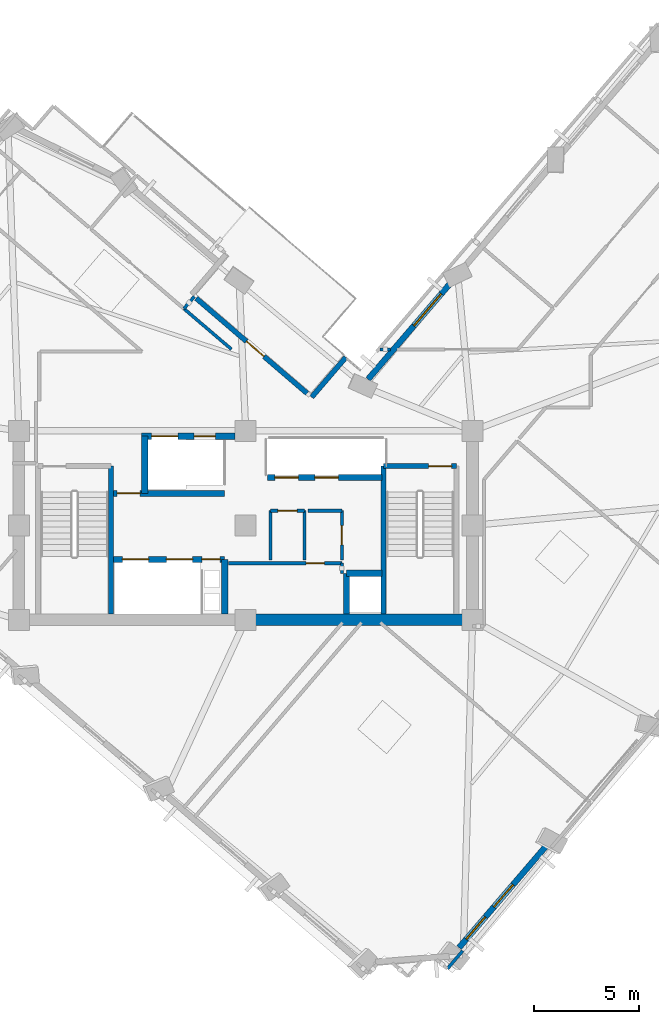
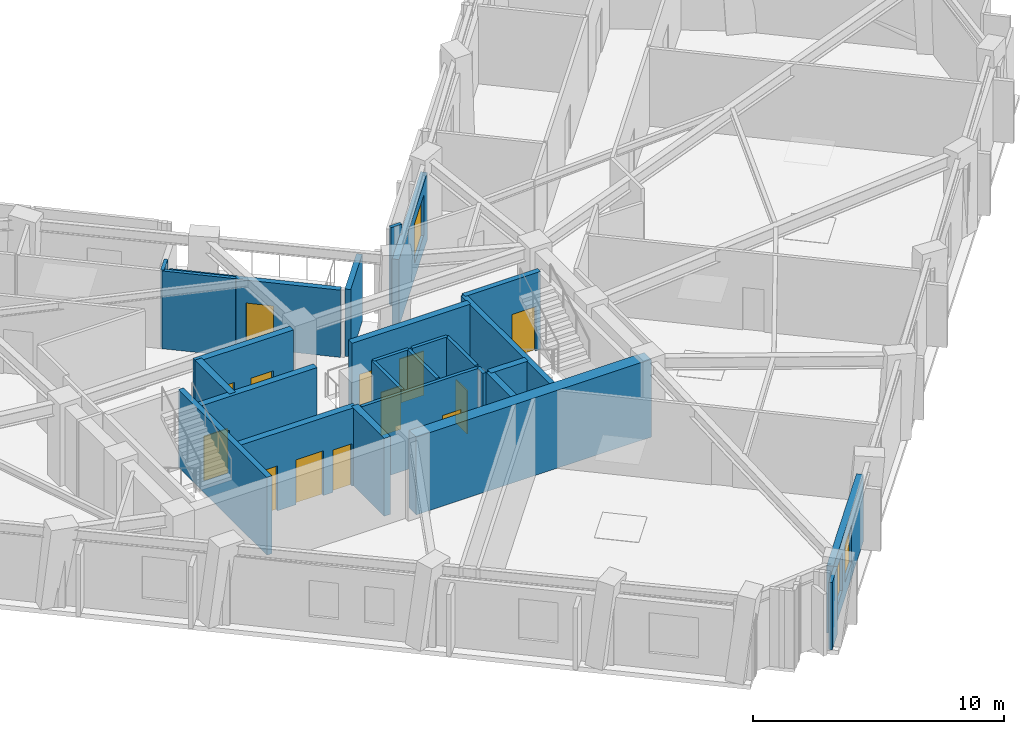
# One storey, part 6 of 12: 27 walls, 13 doors, 3 windows, 16 openings.
"""IFC4 building model written with IfcOpenShell, lengths in metres."""

from ifc_helpers import new_model, si_unit, direction, frame, frame_2d, origin, place, context, subcontext, project, spatial, rectangle, extrude, material, layer, layer_set, type_object, element, fill, save


model = new_model("IFC4")

# Units and contexts
model_context = context("Model", 3, precision=1e-05, world=origin(), true_north=direction((0.0, 1.0)))
body_context = subcontext(model_context, "Body", "Model", "MODEL_VIEW")
ifc_project = project(units=[si_unit("LENGTHUNIT", "METRE"), si_unit("AREAUNIT", "SQUARE_METRE"), si_unit("VOLUMEUNIT", "CUBIC_METRE"), si_unit("PLANEANGLEUNIT", "RADIAN"), si_unit("MASSUNIT", "GRAM", prefix="KILO")], contexts=[model_context])

# Site, building, storey
site_placement = place(None, origin())
site = spatial("IfcSite", under=ifc_project, at=site_placement, CompositionType="ELEMENT")
building_placement = place(site_placement, origin())
building = spatial("IfcBuilding", under=site, at=building_placement, Name="Gaonmaruhae Medical Tower", CompositionType="ELEMENT")
storey_placement = place(building_placement, frame((0.0, 0.0, 235.199951171875)))
storey = spatial("IfcBuildingStorey", under=building, at=storey_placement, Name="L56", CompositionType="ELEMENT", Elevation=235.199951171875)

# Wall
ifc_material_1 = material(Name="Concrete C50/60", Category="concrete")
ifc_layer_1 = layer(ifc_material_1, 0.550048828125)
ifc_layer_set_1 = layer_set([ifc_layer_1], Name="Concrete C50/60")
wall_type_1 = type_object("IfcWallType", Name="CW-550 Mid-High Core Shear Wall", PredefinedType="SHEAR", material=ifc_layer_set_1)
wall_1_placement = place(storey_placement, frame((24.800048828125, 7.800048828125, 0.0), z_axis=(0.0, 0.0, 1.0), x_axis=(1.0, 0.0, 0.0)))
element("IfcWall", 1, at=wall_1_placement, inside=storey, type_object=wall_type_1, Name="L56 Core Shear Wall CSW-S2", PredefinedType="SHEAR", context=body_context, shape_type="SweptSolid", body=[
    extrude(rectangle(XDim=10.800048828125, YDim=0.550048828125, at=frame_2d((5.39990234375, 0.0))), origin(), (0.0, 0.0, 1.0), 3.780029296875),
])

# Wall, opening, door
ifc_material_2 = material(Name="Precast concrete C45/55", Category="concrete")
ifc_layer_2 = layer(ifc_material_2, 0.239990234375)
ifc_layer_set_2 = layer_set([ifc_layer_2], Name="Precast concrete C45/55")
wall_type_2 = type_object("IfcWallType", Name="EW-240 Ribbon & Shelter Insulated Precast Wall", PredefinedType="SOLIDWALL", material=ifc_layer_set_2)
wall_2_placement = place(storey_placement, frame((22.443603515625, 23.114501953125, 0.0), z_axis=(0.0, 0.0, 1.0), x_axis=(0.759271458892, -0.650774040442, 0.0)))
wall_2 = element("IfcWall", 2, at=wall_2_placement, inside=storey, type_object=wall_type_2, Name="L56 Recessed Terrace Enclosure Wall TERB", PredefinedType="SOLIDWALL", context=body_context, shape_type="SweptSolid", body=[
    extrude(rectangle(XDim=6.9599609375, YDim=0.239990234375, at=frame_2d((3.47998046875, 0.0))), origin(), (0.0, 0.0, 1.0), 3.26513671875),
])
opening_1_placement = place(wall_2_placement, frame((3.15234375, 0.0, 0.0)))
opening_1 = element("IfcOpeningElement", 3, at=opening_1_placement, cuts=wall_2, Name="Opening TD-01", PredefinedType="OPENING", context=body_context, shape_type="SweptSolid", body=[
    extrude(rectangle(XDim=1.10009765625, YDim=2.14990234375, at=frame_2d((0.550048828125, 1.074951171875))), frame((0.0, 0.1298828125, 0.0), z_axis=(0.0, -1.0, 0.0), x_axis=(1.0, 0.0, 0.0)), (0.0, 0.0, 1.0), 0.260009765625),
])
ifc_material_3 = material(Name="Anodised aluminium and toughened safety glass", Category="aluminium")
door_type_1 = type_object("IfcDoorType", Name="TD-01 Terrace & Sky Garden Glazed Door 1100x2150", OperationType="NOTDEFINED", PredefinedType="DOOR", material=ifc_material_3)
door_1_placement = place(opening_1_placement, origin())
door_1 = element("IfcDoor", 4, at=door_1_placement, inside=storey, type_object=door_type_1, Name="L56 Outdoor Terrace Access Door SLB-L56-TER", OperationType="SINGLE_SWING_RIGHT", OverallHeight=2.14990234375, OverallWidth=1.10009765625, PredefinedType="DOOR", context=body_context, shape_type="SweptSolid", body=[
    extrude(rectangle(XDim=1.10009765625, YDim=2.14990234375, at=frame_2d((0.550048828125, 1.074951171875))), frame((0.0, 0.02490234375, 0.0), z_axis=(0.0, -1.0, 0.0), x_axis=(1.0, 0.0, 0.0)), (0.0, 0.0, 1.0), 0.050048828125),
])
fill(opening_1, door_1)

# Wall
wall_3_placement = place(storey_placement, frame((27.940673828125, 18.403076171875, 0.0), z_axis=(0.0, 0.0, 1.0), x_axis=(0.650775288898, 0.759270388833, 0.0)))
element("IfcWall", 5, at=wall_3_placement, inside=storey, type_object=wall_type_2, Name="L56 Recessed Terrace Enclosure Wall TERL", PredefinedType="SOLIDWALL", context=body_context, shape_type="SweptSolid", body=[
    extrude(rectangle(XDim=2.5, YDim=0.239990234375, at=frame_2d((1.25, 0.0))), origin(), (0.0, 0.0, 1.0), 3.26513671875),
])

# Wall, openings, windows
ifc_layer_3 = layer(ifc_material_2, 0.280029296875)
ifc_layer_set_3 = layer_set([ifc_layer_3], Name="Precast concrete C45/55")
wall_type_3 = type_object("IfcWallType", Name="EW-280 Upper Precast Masonry-Frame Facade Wall", PredefinedType="SOLIDWALL", material=ifc_layer_set_3)
wall_4_placement = place(storey_placement, frame((39.179443359375, -2.880615234375, 0.0), z_axis=(0.0, 0.0, 1.0), x_axis=(-0.650791373456, -0.759256602365, 0.0)))
wall_4 = element("IfcWall", 6, at=wall_4_placement, inside=storey, type_object=wall_type_3, Name="L56 Precast Masonry-Frame Wall S01-S02", PredefinedType="SOLIDWALL", context=body_context, shape_type="SweptSolid", body=[
    extrude(rectangle(XDim=6.48486328125, YDim=0.280029296875, at=frame_2d((3.242431640625, 0.0))), origin(), (0.0, 0.0, 1.0), 3.26513671875),
])
opening_2_placement = place(wall_4_placement, frame((2.533935546875, 0.0, 0.75)))
opening_2 = element("IfcOpeningElement", 7, at=opening_2_placement, cuts=wall_4, Name="Opening WN-03", PredefinedType="OPENING", context=body_context, shape_type="SweptSolid", body=[
    extrude(rectangle(XDim=1.39990234375, YDim=1.85009765625, at=frame_2d((0.699951171875, 0.925048828125))), frame((0.0, 0.14990234375, 0.0), z_axis=(0.0, -1.0, 0.0), x_axis=(1.0, 0.0, 0.0)), (0.0, 0.0, 1.0), 0.300048828125),
])
opening_3_placement = place(wall_4_placement, frame((4.558837890625, 0.0, 0.75)))
opening_3 = element("IfcOpeningElement", 8, at=opening_3_placement, cuts=wall_4, Name="Opening WN-03", PredefinedType="OPENING", context=body_context, shape_type="SweptSolid", body=[
    extrude(rectangle(XDim=1.39990234375, YDim=1.85009765625, at=frame_2d((0.699951171875, 0.925048828125))), frame((0.0, 0.14990234375, 0.0), z_axis=(0.0, -1.0, 0.0), x_axis=(1.0, 0.0, 0.0)), (0.0, 0.0, 1.0), 0.300048828125),
])
ifc_material_4 = material(Name="Anodised aluminium and Low-E double glazing", Category="aluminium")
window_type_1 = type_object("IfcWindowType", Name="WN-03 Isolation Ward Punched Window 1400x1850", PartitioningType="SINGLE_PANEL", PredefinedType="WINDOW", material=ifc_material_4)
window_1_placement = place(opening_2_placement, origin())
window_1 = element("IfcWindow", 9, at=window_1_placement, inside=storey, type_object=window_type_1, Name="L56 Modular Facade Window S01", OverallHeight=1.85009765625, OverallWidth=1.39990234375, PartitioningType="SINGLE_PANEL", PredefinedType="WINDOW", context=body_context, shape_type="SweptSolid", body=[
    extrude(rectangle(XDim=1.39990234375, YDim=1.85009765625, at=frame_2d((0.699951171875, 0.925048828125))), frame((0.0, 0.030029296875, 0.0), z_axis=(0.0, -1.0, 0.0), x_axis=(1.0, 0.0, 0.0)), (0.0, 0.0, 1.0), 0.06005859375),
])
fill(opening_2, window_1)
window_2_placement = place(opening_3_placement, origin())
window_2 = element("IfcWindow", 10, at=window_2_placement, inside=storey, type_object=window_type_1, Name="L56 Modular Facade Window S01B", OverallHeight=1.85009765625, OverallWidth=1.39990234375, PartitioningType="SINGLE_PANEL", PredefinedType="WINDOW", context=body_context, shape_type="SweptSolid", body=[
    extrude(rectangle(XDim=1.39990234375, YDim=1.85009765625, at=frame_2d((0.699951171875, 0.925048828125))), frame((0.0, 0.030029296875, 0.0), z_axis=(0.0, -1.0, 0.0), x_axis=(1.0, 0.0, 0.0)), (0.0, 0.0, 1.0), 0.06005859375),
])
fill(opening_3, window_2)

# Wall, opening, window
wall_5_placement = place(storey_placement, frame((30.626220703125, 19.256103515625, 0.0), z_axis=(0.0, 0.0, 1.0), x_axis=(0.650768519131, 0.75927619119, 0.0)))
wall_5 = element("IfcWall", 11, at=wall_5_placement, inside=storey, type_object=wall_type_3, Name="L56 Precast Masonry-Frame Wall EN02-KN01", PredefinedType="SOLIDWALL", context=body_context, shape_type="SweptSolid", body=[
    extrude(rectangle(XDim=6.158203125, YDim=0.280029296875, at=frame_2d((3.0791015625, 0.0))), origin(), (0.0, 0.0, 1.0), 3.26513671875),
])
opening_4_placement = place(wall_5_placement, frame((3.357421875, 0.0, 0.75)))
opening_4 = element("IfcOpeningElement", 12, at=opening_4_placement, cuts=wall_5, Name="Opening WN-02", PredefinedType="OPENING", context=body_context, shape_type="SweptSolid", body=[
    extrude(rectangle(XDim=2.0, YDim=1.949951171875, at=frame_2d((1.0, 0.97509765625))), frame((0.0, 0.14990234375, 0.0), z_axis=(0.0, -1.0, 0.0), x_axis=(1.0, 0.0, 0.0)), (0.0, 0.0, 1.0), 0.300048828125),
])
window_type_2 = type_object("IfcWindowType", Name="WN-02 Double-Bed Ward Punched Window 2000x1950", PartitioningType="SINGLE_PANEL", PredefinedType="WINDOW", material=ifc_material_4)
window_3_placement = place(opening_4_placement, origin())
window_3 = element("IfcWindow", 13, at=window_3_placement, inside=storey, type_object=window_type_2, Name="L56 Modular Facade Window EN02", OverallHeight=1.949951171875, OverallWidth=2.0, PartitioningType="SINGLE_PANEL", PredefinedType="WINDOW", context=body_context, shape_type="SweptSolid", body=[
    extrude(rectangle(XDim=2.0, YDim=1.949951171875, at=frame_2d((1.0, 0.97509765625))), frame((0.0, 0.030029296875, 0.0), z_axis=(0.0, -1.0, 0.0), x_axis=(1.0, 0.0, 0.0)), (0.0, 0.0, 1.0), 0.06005859375),
])
fill(opening_4, window_3)

# Wall, opening, door
ifc_material_5 = material(Name="Gypsum board partition", Category="gypsum")
ifc_layer_4 = layer(ifc_material_5, 0.14990234375)
ifc_layer_set_4 = layer_set([ifc_layer_4], Name="Gypsum board partition")
wall_type_4 = type_object("IfcWallType", Name="PW-150 Rated Clinical Corridor Partition", PredefinedType="PARTITIONING", material=ifc_layer_set_4)
wall_6_placement = place(storey_placement, frame((23.97998046875, 10.5, 0.0), z_axis=(0.0, 0.0, 1.0), x_axis=(1.0, 0.0, 0.0)))
wall_6 = element("IfcWall", 14, at=wall_6_placement, inside=storey, type_object=wall_type_4, Name="L56 Interior Partition L56-RCL1-1", PredefinedType="PARTITIONING", context=body_context, shape_type="SweptSolid", body=[
    extrude(rectangle(XDim=5.39990234375, YDim=0.14990234375, at=frame_2d((2.699951171875, 0.0))), origin(), (0.0, 0.0, 1.0), 3.780029296875),
])
opening_5_placement = place(wall_6_placement, frame((3.702880859375, 0.0, 0.0)))
opening_5 = element("IfcOpeningElement", 15, at=opening_5_placement, cuts=wall_6, Name="Opening AD-01", PredefinedType="OPENING", context=body_context, shape_type="SweptSolid", body=[
    extrude(rectangle(XDim=0.860107421875, YDim=2.06005859375, at=frame_2d((0.43017578125, 1.030029296875))), frame((0.0, 0.0849609375, 0.0), z_axis=(0.0, -1.0, 0.0), x_axis=(1.0, 0.0, 0.0)), (0.0, 0.0, 1.0), 0.169921875),
])
ifc_material_6 = material(Name="Powder-coated steel access door", Category="steel")
door_type_2 = type_object("IfcDoorType", Name="AD-01 Riser & Closet Access Fire Door 860x2060", OperationType="NOTDEFINED", PredefinedType="DOOR", material=ifc_material_6)
door_2_placement = place(opening_5_placement, origin())
door_2 = element("IfcDoor", 16, at=door_2_placement, inside=storey, type_object=door_type_2, Name="L56 Biomedical Infusion Preparation Room Sliding Door", OperationType="SLIDING_TO_LEFT", OverallHeight=2.06005859375, OverallWidth=0.860107421875, PredefinedType="DOOR", context=body_context, shape_type="SweptSolid", body=[
    extrude(rectangle(XDim=0.860107421875, YDim=2.06005859375, at=frame_2d((0.43017578125, 1.030029296875))), frame((0.0, 0.02490234375, 0.0), z_axis=(0.0, -1.0, 0.0), x_axis=(1.0, 0.0, 0.0)), (0.0, 0.0, 1.0), 0.050048828125),
])
fill(opening_5, door_2)

# Walls
wall_7_placement = place(storey_placement, frame((29.3798828125, 10.5, 0.0), z_axis=(0.0, 0.0, 1.0), x_axis=(0.0, -1.0, 0.0)))
element("IfcWall", 17, at=wall_7_placement, inside=storey, type_object=wall_type_4, Name="L56 Interior Partition L56-RCL1-2", PredefinedType="PARTITIONING", context=body_context, shape_type="SweptSolid", body=[
    extrude(rectangle(XDim=0.47998046875, YDim=0.14990234375, at=frame_2d((0.239990234375, 0.0))), origin(), (0.0, 0.0, 1.0), 3.780029296875),
])
wall_8_placement = place(storey_placement, frame((25.97998046875, 10.659912109375, 0.0), z_axis=(0.0, 0.0, 1.0), x_axis=(0.0, 1.0, 0.0)))
element("IfcWall", 18, at=wall_8_placement, inside=storey, type_object=wall_type_4, Name="L56 Interior Partition L56-CS1-3", PredefinedType="PARTITIONING", context=body_context, shape_type="SweptSolid", body=[
    extrude(rectangle(XDim=2.340087890625, YDim=0.14990234375, at=frame_2d((1.169921875, 0.0))), origin(), (0.0, 0.0, 1.0), 3.780029296875),
])

# Wall, opening, door
wall_9_placement = place(storey_placement, frame((25.97998046875, 13.0, 0.0), z_axis=(0.0, 0.0, 1.0), x_axis=(1.0, 0.0, 0.0)))
wall_9 = element("IfcWall", 19, at=wall_9_placement, inside=storey, type_object=wall_type_4, Name="L56 Interior Partition L56-CS1-4", PredefinedType="PARTITIONING", context=body_context, shape_type="SweptSolid", body=[
    extrude(rectangle(XDim=1.6201171875, YDim=0.14990234375, at=frame_2d((0.81005859375, 0.0))), origin(), (0.0, 0.0, 1.0), 3.780029296875),
])
opening_6_placement = place(wall_9_placement, frame((0.35009765625, 0.0, 0.0)))
opening_6 = element("IfcOpeningElement", 20, at=opening_6_placement, cuts=wall_9, Name="Opening UD-01", PredefinedType="OPENING", context=body_context, shape_type="SweptSolid", body=[
    extrude(rectangle(XDim=0.919921875, YDim=2.10009765625, at=frame_2d((0.4599609375, 1.050048828125))), frame((0.0, 0.0849609375, 0.0), z_axis=(0.0, -1.0, 0.0), x_axis=(1.0, 0.0, 0.0)), (0.0, 0.0, 1.0), 0.169921875),
])
ifc_material_7 = material(Name="Powder-coated steel utility door", Category="steel")
door_type_3 = type_object("IfcDoorType", Name="UD-01 Toilet, Utility & Housekeeping Door 920x2100", OperationType="NOTDEFINED", PredefinedType="DOOR", material=ifc_material_7)
door_3_placement = place(opening_6_placement, origin())
door_3 = element("IfcDoor", 21, at=door_3_placement, inside=storey, type_object=door_type_3, Name="L56 Accessible Staff Toilet Door", OperationType="SINGLE_SWING_RIGHT", OverallHeight=2.10009765625, OverallWidth=0.919921875, PredefinedType="DOOR", context=body_context, shape_type="SweptSolid", body=[
    extrude(rectangle(XDim=0.919921875, YDim=2.10009765625, at=frame_2d((0.4599609375, 1.050048828125))), frame((0.0, 0.02490234375, 0.0), z_axis=(0.0, -1.0, 0.0), x_axis=(1.0, 0.0, 0.0)), (0.0, 0.0, 1.0), 0.050048828125),
])
fill(opening_6, door_3)

# Walls
wall_10_placement = place(storey_placement, frame((27.60009765625, 13.0, 0.0), z_axis=(0.0, 0.0, 1.0), x_axis=(0.0, -1.0, 0.0)))
element("IfcWall", 22, at=wall_10_placement, inside=storey, type_object=wall_type_4, Name="L56 Interior Partition L56-CS1-5", PredefinedType="PARTITIONING", context=body_context, shape_type="SweptSolid", body=[
    extrude(rectangle(XDim=2.340087890625, YDim=0.14990234375, at=frame_2d((1.169921875, 0.0))), origin(), (0.0, 0.0, 1.0), 3.780029296875),
])
wall_11_placement = place(storey_placement, frame((27.760009765625, 13.0, 0.0), z_axis=(0.0, 0.0, 1.0), x_axis=(1.0, 0.0, 0.0)))
element("IfcWall", 23, at=wall_11_placement, inside=storey, type_object=wall_type_4, Name="L56 Interior Partition L56-CS2-6", PredefinedType="PARTITIONING", context=body_context, shape_type="SweptSolid", body=[
    extrude(rectangle(XDim=1.619873046875, YDim=0.14990234375, at=frame_2d((0.81005859375, 0.0))), origin(), (0.0, 0.0, 1.0), 3.780029296875),
])

# Wall, opening, door
wall_12_placement = place(storey_placement, frame((29.3798828125, 13.0, 0.0), z_axis=(0.0, 0.0, 1.0), x_axis=(0.0, -1.0, 0.0)))
wall_12 = element("IfcWall", 24, at=wall_12_placement, inside=storey, type_object=wall_type_4, Name="L56 Interior Partition L56-CS2-7", PredefinedType="PARTITIONING", context=body_context, shape_type="SweptSolid", body=[
    extrude(rectangle(XDim=2.340087890625, YDim=0.14990234375, at=frame_2d((1.169921875, 0.0))), origin(), (0.0, 0.0, 1.0), 3.780029296875),
])
opening_7_placement = place(wall_12_placement, frame((0.7099609375, 0.0, 0.0)))
opening_7 = element("IfcOpeningElement", 25, at=opening_7_placement, cuts=wall_12, Name="Opening UD-01", PredefinedType="OPENING", context=body_context, shape_type="SweptSolid", body=[
    extrude(rectangle(XDim=0.919921875, YDim=2.10009765625, at=frame_2d((0.4599609375, 1.050048828125))), frame((0.0, 0.0849609375, 0.0), z_axis=(0.0, -1.0, 0.0), x_axis=(1.0, 0.0, 0.0)), (0.0, 0.0, 1.0), 0.169921875),
])
door_4_placement = place(opening_7_placement, origin())
door_4 = element("IfcDoor", 26, at=door_4_placement, inside=storey, type_object=door_type_3, Name="L56 Biomedical Telemetry Closet Door", OperationType="SINGLE_SWING_RIGHT", OverallHeight=2.10009765625, OverallWidth=0.919921875, PredefinedType="DOOR", context=body_context, shape_type="SweptSolid", body=[
    extrude(rectangle(XDim=0.919921875, YDim=2.10009765625, at=frame_2d((0.4599609375, 1.050048828125))), frame((0.0, 0.02490234375, 0.0), z_axis=(0.0, -1.0, 0.0), x_axis=(1.0, 0.0, 0.0)), (0.0, 0.0, 1.0), 0.050048828125),
])
fill(opening_7, door_4)

# Walls
wall_13_placement = place(storey_placement, frame((35.134033203125, -7.9541015625, 0.0), z_axis=(0.0, 0.0, 1.0), x_axis=(-0.651094055593, -0.758997055839, 0.0)))
element("IfcWall", 27, at=wall_13_placement, inside=storey, type_object=wall_type_4, Name="L56 Interior Partition L56-SUP01-15", PredefinedType="PARTITIONING", context=body_context, shape_type="SweptSolid", body=[
    extrude(rectangle(XDim=1.129150390625, YDim=0.14990234375, at=frame_2d((0.564453125, 0.0))), origin(), (0.0, 0.0, 1.0), 3.26513671875),
])
wall_14_placement = place(storey_placement, frame((31.695068359375, 20.679931640625, 0.0), z_axis=(0.0, 0.0, 1.0), x_axis=(-1.0, 0.0, 0.0)))
element("IfcWall", 28, at=wall_14_placement, inside=storey, type_object=wall_type_4, Name="L56 Interior Partition L56-IE01-60", PredefinedType="PARTITIONING", context=body_context, shape_type="SweptSolid", body=[
    extrude(rectangle(XDim=0.498046875, YDim=0.14990234375, at=frame_2d((0.2490234375, 0.0))), origin(), (0.0, 0.0, 1.0), 3.780029296875),
])
wall_15_placement = place(storey_placement, frame((22.35205078125, 23.193115234375, 0.0), z_axis=(0.0, 0.0, 1.0), x_axis=(-0.650367875371, -0.759619395938, 0.0)))
element("IfcWall", 29, at=wall_15_placement, inside=storey, type_object=wall_type_4, Name="L56 Interior Partition L56-IN02-71", PredefinedType="PARTITIONING", context=body_context, shape_type="SweptSolid", body=[
    extrude(rectangle(XDim=0.759765625, YDim=0.14990234375, at=frame_2d((0.3798828125, 0.0))), origin(), (0.0, 0.0, 1.0), 3.780029296875),
])
wall_16_placement = place(storey_placement, frame((21.860107421875, 22.617919921875, 0.0), z_axis=(0.0, 0.0, 1.0), x_axis=(0.760455656474, -0.649389863285, 0.0)))
element("IfcWall", 30, at=wall_16_placement, inside=storey, type_object=wall_type_4, Name="L56 Interior Partition L56-RM03-86", PredefinedType="PARTITIONING", context=body_context, shape_type="SweptSolid", body=[
    extrude(rectangle(XDim=2.971923828125, YDim=0.14990234375, at=frame_2d((1.48583984375, 0.0))), origin(), (0.0, 0.0, 1.0), 3.780029296875),
])
ifc_layer_5 = layer(ifc_material_1, 0.239990234375)
ifc_layer_set_5 = layer_set([ifc_layer_5], Name="Concrete C50/60")
wall_type_5 = type_object("IfcWallType", Name="SW-240 Dogleg Stair Tight Shaft Wall", PredefinedType="SOLIDWALL", material=ifc_layer_set_5)
wall_17_placement = place(storey_placement, frame((18.3798828125, 15.1201171875, 0.0), z_axis=(0.0, 0.0, 1.0), x_axis=(0.0, -1.0, 0.0)))
element("IfcWall", 31, at=wall_17_placement, inside=storey, type_object=wall_type_5, Name="L56 ST-01 Stair Shaft Wall SHW-ST-01-E", PredefinedType="SOLIDWALL", context=body_context, shape_type="SweptSolid", body=[
    extrude(rectangle(XDim=7.045166015625, YDim=0.239990234375, at=frame_2d((3.5224609375, 0.0))), origin(), (0.0, 0.0, 1.0), 3.780029296875),
])

# Wall, opening, door
wall_18_placement = place(storey_placement, frame((31.3701171875, 15.1201171875, 0.0), z_axis=(0.0, 0.0, 1.0), x_axis=(1.0, 0.0, 0.0)))
wall_18 = element("IfcWall", 32, at=wall_18_placement, inside=storey, type_object=wall_type_5, Name="L56 ST-02 Stair Shaft Wall SHW-ST-02-N", PredefinedType="SOLIDWALL", context=body_context, shape_type="SweptSolid", body=[
    extrude(rectangle(XDim=3.4599609375, YDim=0.239990234375, at=frame_2d((1.72998046875, 0.0))), origin(), (0.0, 0.0, 1.0), 3.780029296875),
])
opening_8_placement = place(wall_18_placement, frame((2.139892578125, 0.0, 0.0)))
opening_8 = element("IfcOpeningElement", 33, at=opening_8_placement, cuts=wall_18, Name="Opening FD-01", PredefinedType="OPENING", context=body_context, shape_type="SweptSolid", body=[
    extrude(rectangle(XDim=1.10009765625, YDim=2.14990234375, at=frame_2d((0.550048828125, 1.074951171875))), frame((0.0, 0.1298828125, 0.0), z_axis=(0.0, -1.0, 0.0), x_axis=(1.0, 0.0, 0.0)), (0.0, 0.0, 1.0), 0.260009765625),
])
ifc_material_8 = material(Name="Powder-coated steel fire door", Category="steel")
door_type_4 = type_object("IfcDoorType", Name="FD-01 Escape Stair Protected Fire Door 1100x2150", OperationType="NOTDEFINED", PredefinedType="DOOR", material=ifc_material_8)
door_5_placement = place(opening_8_placement, origin())
door_5 = element("IfcDoor", 34, at=door_5_placement, inside=storey, type_object=door_type_4, Name="L56 ST-02 Protected Escape Stair Door", OperationType="SINGLE_SWING_LEFT", OverallHeight=2.14990234375, OverallWidth=1.10009765625, PredefinedType="DOOR", context=body_context, shape_type="SweptSolid", body=[
    extrude(rectangle(XDim=1.10009765625, YDim=2.14990234375, at=frame_2d((0.550048828125, 1.074951171875))), frame((0.0, 0.02490234375, 0.0), z_axis=(0.0, -1.0, 0.0), x_axis=(1.0, 0.0, 0.0)), (0.0, 0.0, 1.0), 0.050048828125),
])
fill(opening_8, door_5)

# Wall
wall_19_placement = place(storey_placement, frame((31.3701171875, 8.074951171875, 0.0), z_axis=(0.0, 0.0, 1.0), x_axis=(0.0, 1.0, 0.0)))
element("IfcWall", 35, at=wall_19_placement, inside=storey, type_object=wall_type_5, Name="L56 ST-02 Stair Shaft Wall SHW-ST-02-W", PredefinedType="SOLIDWALL", context=body_context, shape_type="SweptSolid", body=[
    extrude(rectangle(XDim=7.045166015625, YDim=0.239990234375, at=frame_2d((3.5224609375, 0.0))), origin(), (0.0, 0.0, 1.0), 3.780029296875),
])

# Wall, openings, doors
ifc_layer_6 = layer(ifc_material_1, 0.300048828125)
ifc_layer_set_6 = layer_set([ifc_layer_6], Name="Concrete C50/60")
wall_type_6 = type_object("IfcWallType", Name="SW-300 Stair & Lift Hoistway Shaft Wall", PredefinedType="SOLIDWALL", material=ifc_layer_set_6)
wall_20_placement = place(storey_placement, frame((19.85009765625, 16.550048828125, 0.0), z_axis=(0.0, 0.0, 1.0), x_axis=(1.0, 0.0, 0.0)))
wall_20 = element("IfcWall", 36, at=wall_20_placement, inside=storey, type_object=wall_type_6, Name="L56 Core Shear Wall CSW-NB", PredefinedType="SOLIDWALL", context=body_context, shape_type="SweptSolid", body=[
    extrude(rectangle(XDim=4.449951171875, YDim=0.300048828125, at=frame_2d((2.22509765625, 0.0))), origin(), (0.0, 0.0, 1.0), 3.780029296875),
])
opening_9_placement = place(wall_20_placement, frame((0.47509765625, 0.0, 0.0)))
opening_9 = element("IfcOpeningElement", 37, at=opening_9_placement, cuts=wall_20, Name="Opening LD-F1", PredefinedType="OPENING", context=body_context, shape_type="SweptSolid", body=[
    extrude(rectangle(XDim=1.25, YDim=2.179931640625, at=frame_2d((0.625, 1.08984375))), frame((0.0, 0.16015625, 0.0), z_axis=(0.0, -1.0, 0.0), x_axis=(1.0, 0.0, 0.0)), (0.0, 0.0, 1.0), 0.320068359375),
])
opening_10_placement = place(wall_20_placement, frame((2.489990234375, 0.0, 0.0)))
opening_10 = element("IfcOpeningElement", 38, at=opening_10_placement, cuts=wall_20, Name="Opening LD-S1", PredefinedType="OPENING", context=body_context, shape_type="SweptSolid", body=[
    extrude(rectangle(XDim=1.02001953125, YDim=2.1201171875, at=frame_2d((0.510009765625, 1.06005859375))), frame((0.0, 0.16015625, 0.0), z_axis=(0.0, -1.0, 0.0), x_axis=(1.0, 0.0, 0.0)), (0.0, 0.0, 1.0), 0.320068359375),
])
ifc_material_9 = material(Name="Brushed stainless steel 316L landing door", Category="steel")
door_type_5 = type_object("IfcDoorType", Name="LD-F1 Firefighting & Bed Lift Sliding Landing Door 1250x2180", OperationType="NOTDEFINED", PredefinedType="DOOR", material=ifc_material_9)
door_6_placement = place(opening_9_placement, origin())
door_6 = element("IfcDoor", 39, at=door_6_placement, inside=storey, type_object=door_type_5, Name="L56 Service/Bed Lift Landing Door BDL-01", OperationType="DOUBLE_DOOR_SLIDING", OverallHeight=2.179931640625, OverallWidth=1.25, PredefinedType="DOOR", context=body_context, shape_type="SweptSolid", body=[
    extrude(rectangle(XDim=1.25, YDim=2.179931640625, at=frame_2d((0.625, 1.08984375))), frame((0.0, 0.02490234375, 0.0), z_axis=(0.0, -1.0, 0.0), x_axis=(1.0, 0.0, 0.0)), (0.0, 0.0, 1.0), 0.050048828125),
])
fill(opening_9, door_6)
ifc_material_10 = material(Name="Brushed stainless steel 304 landing door", Category="steel")
door_type_6 = type_object("IfcDoorType", Name="LD-S1 Service Lift Sliding Landing Door 1020x2120", OperationType="NOTDEFINED", PredefinedType="DOOR", material=ifc_material_10)
door_7_placement = place(opening_10_placement, origin())
door_7 = element("IfcDoor", 40, at=door_7_placement, inside=storey, type_object=door_type_6, Name="L56 Service/Bed Lift Landing Door SVL-01", OperationType="SLIDING_TO_LEFT", OverallHeight=2.1201171875, OverallWidth=1.02001953125, PredefinedType="DOOR", context=body_context, shape_type="SweptSolid", body=[
    extrude(rectangle(XDim=1.02001953125, YDim=2.1201171875, at=frame_2d((0.510009765625, 1.06005859375))), frame((0.0, 0.02490234375, 0.0), z_axis=(0.0, -1.0, 0.0), x_axis=(1.0, 0.0, 0.0)), (0.0, 0.0, 1.0), 0.050048828125),
])
fill(opening_10, door_7)

wall_21_placement = place(storey_placement, frame((18.5, 10.679931640625, 0.0), z_axis=(0.0, 0.0, 1.0), x_axis=(1.0, 0.0, 0.0)))
wall_21 = element("IfcWall", 41, at=wall_21_placement, inside=storey, type_object=wall_type_6, Name="L56 Shaft Enclosure Wall SHW-FFN", PredefinedType="SOLIDWALL", context=body_context, shape_type="SweptSolid", body=[
    extrude(rectangle(XDim=5.300048828125, YDim=0.300048828125, at=frame_2d((2.64990234375, 0.0))), origin(), (0.0, 0.0, 1.0), 3.780029296875),
])
opening_11_placement = place(wall_21_placement, frame((4.219970703125, 0.0, 0.0)))
opening_11 = element("IfcOpeningElement", 42, at=opening_11_placement, cuts=wall_21, Name="Opening AD-01", PredefinedType="OPENING", context=body_context, shape_type="SweptSolid", body=[
    extrude(rectangle(XDim=0.860107421875, YDim=2.06005859375, at=frame_2d((0.43017578125, 1.030029296875))), frame((0.0, 0.16015625, 0.0), z_axis=(0.0, -1.0, 0.0), x_axis=(1.0, 0.0, 0.0)), (0.0, 0.0, 1.0), 0.320068359375),
])
opening_12_placement = place(wall_21_placement, frame((0.425048828125, 0.0, 0.0)))
opening_12 = element("IfcOpeningElement", 43, at=opening_12_placement, cuts=wall_21, Name="Opening LD-F1", PredefinedType="OPENING", context=body_context, shape_type="SweptSolid", body=[
    extrude(rectangle(XDim=1.25, YDim=2.179931640625, at=frame_2d((0.625, 1.08984375))), frame((0.0, 0.16015625, 0.0), z_axis=(0.0, -1.0, 0.0), x_axis=(1.0, 0.0, 0.0)), (0.0, 0.0, 1.0), 0.320068359375),
])
opening_13_placement = place(wall_21_placement, frame((2.52490234375, 0.0, 0.0)))
opening_13 = element("IfcOpeningElement", 44, at=opening_13_placement, cuts=wall_21, Name="Opening LD-F1", PredefinedType="OPENING", context=body_context, shape_type="SweptSolid", body=[
    extrude(rectangle(XDim=1.25, YDim=2.179931640625, at=frame_2d((0.625, 1.08984375))), frame((0.0, 0.16015625, 0.0), z_axis=(0.0, -1.0, 0.0), x_axis=(1.0, 0.0, 0.0)), (0.0, 0.0, 1.0), 0.320068359375),
])
door_8_placement = place(opening_11_placement, origin())
door_8 = element("IfcDoor", 45, at=door_8_placement, inside=storey, type_object=door_type_2, Name="L56 Medical Gas and MEP Riser Access Door", OperationType="SINGLE_SWING_RIGHT", OverallHeight=2.06005859375, OverallWidth=0.860107421875, PredefinedType="DOOR", context=body_context, shape_type="SweptSolid", body=[
    extrude(rectangle(XDim=0.860107421875, YDim=2.06005859375, at=frame_2d((0.43017578125, 1.030029296875))), frame((0.0, 0.02490234375, 0.0), z_axis=(0.0, -1.0, 0.0), x_axis=(1.0, 0.0, 0.0)), (0.0, 0.0, 1.0), 0.050048828125),
])
fill(opening_11, door_8)
door_9_placement = place(opening_12_placement, origin())
door_9 = element("IfcDoor", 46, at=door_9_placement, inside=storey, type_object=door_type_5, Name="L56 Firefighting Lift Landing Door FFL-01", OperationType="DOUBLE_DOOR_SLIDING", OverallHeight=2.179931640625, OverallWidth=1.25, PredefinedType="DOOR", context=body_context, shape_type="SweptSolid", body=[
    extrude(rectangle(XDim=1.25, YDim=2.179931640625, at=frame_2d((0.625, 1.08984375))), frame((0.0, 0.02490234375, 0.0), z_axis=(0.0, -1.0, 0.0), x_axis=(1.0, 0.0, 0.0)), (0.0, 0.0, 1.0), 0.050048828125),
])
fill(opening_12, door_9)
door_10_placement = place(opening_13_placement, origin())
door_10 = element("IfcDoor", 47, at=door_10_placement, inside=storey, type_object=door_type_5, Name="L56 Firefighting Lift Landing Door FFL-02", OperationType="DOUBLE_DOOR_SLIDING", OverallHeight=2.179931640625, OverallWidth=1.25, PredefinedType="DOOR", context=body_context, shape_type="SweptSolid", body=[
    extrude(rectangle(XDim=1.25, YDim=2.179931640625, at=frame_2d((0.625, 1.08984375))), frame((0.0, 0.02490234375, 0.0), z_axis=(0.0, -1.0, 0.0), x_axis=(1.0, 0.0, 0.0)), (0.0, 0.0, 1.0), 0.050048828125),
])
fill(opening_13, door_10)

# Wall, opening, door
wall_22_placement = place(storey_placement, frame((18.5, 13.820068359375, 0.0), z_axis=(0.0, 0.0, 1.0), x_axis=(1.0, 0.0, 0.0)))
wall_22 = element("IfcWall", 48, at=wall_22_placement, inside=storey, type_object=wall_type_6, Name="L56 Shaft Enclosure Wall SHW-FFL", PredefinedType="SOLIDWALL", context=body_context, shape_type="SweptSolid", body=[
    extrude(rectangle(XDim=5.300048828125, YDim=0.300048828125, at=frame_2d((2.64990234375, 0.0))), origin(), (0.0, 0.0, 1.0), 3.780029296875),
])
opening_14_placement = place(wall_22_placement, frame((0.179931640625, 0.0, 0.0)))
opening_14 = element("IfcOpeningElement", 49, at=opening_14_placement, cuts=wall_22, Name="Opening FD-01", PredefinedType="OPENING", context=body_context, shape_type="SweptSolid", body=[
    extrude(rectangle(XDim=1.10009765625, YDim=2.14990234375, at=frame_2d((0.550048828125, 1.074951171875))), frame((0.0, 0.16015625, 0.0), z_axis=(0.0, -1.0, 0.0), x_axis=(1.0, 0.0, 0.0)), (0.0, 0.0, 1.0), 0.320068359375),
])
door_11_placement = place(opening_14_placement, origin())
door_11 = element("IfcDoor", 50, at=door_11_placement, inside=storey, type_object=door_type_4, Name="L56 Firefighting Lobby Smoke Door", OperationType="SINGLE_SWING_LEFT", OverallHeight=2.14990234375, OverallWidth=1.10009765625, PredefinedType="DOOR", context=body_context, shape_type="SweptSolid", body=[
    extrude(rectangle(XDim=1.10009765625, YDim=2.14990234375, at=frame_2d((0.550048828125, 1.074951171875))), frame((0.0, 0.02490234375, 0.0), z_axis=(0.0, -1.0, 0.0), x_axis=(1.0, 0.0, 0.0)), (0.0, 0.0, 1.0), 0.050048828125),
])
fill(opening_14, door_11)

# Walls
wall_23_placement = place(storey_placement, frame((23.800048828125, 8.074951171875, 0.0), z_axis=(0.0, 0.0, 1.0), x_axis=(0.0, 1.0, 0.0)))
element("IfcWall", 51, at=wall_23_placement, inside=storey, type_object=wall_type_6, Name="L56 Shaft Enclosure Wall SHW-FFE", PredefinedType="SOLIDWALL", context=body_context, shape_type="SweptSolid", body=[
    extrude(rectangle(XDim=2.60498046875, YDim=0.300048828125, at=frame_2d((1.302490234375, 0.0))), origin(), (0.0, 0.0, 1.0), 3.780029296875),
])
wall_24_placement = place(storey_placement, frame((20.0, 13.820068359375, 0.0), z_axis=(0.0, 0.0, 1.0), x_axis=(0.0, 1.0, 0.0)))
element("IfcWall", 52, at=wall_24_placement, inside=storey, type_object=wall_type_6, Name="L56 Shaft Enclosure Wall SHW-BDW", PredefinedType="SOLIDWALL", context=body_context, shape_type="SweptSolid", body=[
    extrude(rectangle(XDim=2.72998046875, YDim=0.300048828125, at=frame_2d((1.364990234375, 0.0))), origin(), (0.0, 0.0, 1.0), 3.780029296875),
])
wall_25_placement = place(storey_placement, frame((29.60009765625, 10.02001953125, 0.0), z_axis=(0.0, 0.0, 1.0), x_axis=(1.0, 0.0, 0.0)))
element("IfcWall", 53, at=wall_25_placement, inside=storey, type_object=wall_type_6, Name="L56 Shaft Enclosure Wall SHW-PLS", PredefinedType="SOLIDWALL", context=body_context, shape_type="SweptSolid", body=[
    extrude(rectangle(XDim=1.699951171875, YDim=0.300048828125, at=frame_2d((0.85009765625, 0.0))), origin(), (0.0, 0.0, 1.0), 3.780029296875),
])
wall_26_placement = place(storey_placement, frame((29.60009765625, 8.074951171875, 0.0), z_axis=(0.0, 0.0, 1.0), x_axis=(0.0, 1.0, 0.0)))
element("IfcWall", 54, at=wall_26_placement, inside=storey, type_object=wall_type_6, Name="L56 Shaft Enclosure Wall SHW-PLD1", PredefinedType="SOLIDWALL", context=body_context, shape_type="SweptSolid", body=[
    extrude(rectangle(XDim=1.945068359375, YDim=0.300048828125, at=frame_2d((0.97265625, 0.0))), origin(), (0.0, 0.0, 1.0), 3.780029296875),
])

# Wall, openings, doors
wall_27_placement = place(storey_placement, frame((25.85009765625, 14.580078125, 0.0), z_axis=(0.0, 0.0, 1.0), x_axis=(1.0, 0.0, 0.0)))
wall_27 = element("IfcWall", 55, at=wall_27_placement, inside=storey, type_object=wall_type_6, Name="L56 Shaft Enclosure Wall SHW-PLN", PredefinedType="SOLIDWALL", context=body_context, shape_type="SweptSolid", body=[
    extrude(rectangle(XDim=5.449951171875, YDim=0.300048828125, at=frame_2d((2.72509765625, 0.0))), origin(), (0.0, 0.0, 1.0), 3.780029296875),
])
opening_15_placement = place(wall_27_placement, frame((0.340087890625, 0.0, 0.0)))
opening_15 = element("IfcOpeningElement", 56, at=opening_15_placement, cuts=wall_27, Name="Opening LD-P1", PredefinedType="OPENING", context=body_context, shape_type="SweptSolid", body=[
    extrude(rectangle(XDim=1.1201171875, YDim=2.14990234375, at=frame_2d((0.56005859375, 1.074951171875))), frame((0.0, 0.16015625, 0.0), z_axis=(0.0, -1.0, 0.0), x_axis=(1.0, 0.0, 0.0)), (0.0, 0.0, 1.0), 0.320068359375),
])
opening_16_placement = place(wall_27_placement, frame((2.239990234375, 0.0, 0.0)))
opening_16 = element("IfcOpeningElement", 57, at=opening_16_placement, cuts=wall_27, Name="Opening LD-P1", PredefinedType="OPENING", context=body_context, shape_type="SweptSolid", body=[
    extrude(rectangle(XDim=1.1201171875, YDim=2.14990234375, at=frame_2d((0.56005859375, 1.074951171875))), frame((0.0, 0.16015625, 0.0), z_axis=(0.0, -1.0, 0.0), x_axis=(1.0, 0.0, 0.0)), (0.0, 0.0, 1.0), 0.320068359375),
])
door_type_7 = type_object("IfcDoorType", Name="LD-P1 Passenger Lift Sliding Landing Door 1120x2150", OperationType="NOTDEFINED", PredefinedType="DOOR", material=ifc_material_10)
door_12_placement = place(opening_15_placement, origin())
door_12 = element("IfcDoor", 58, at=door_12_placement, inside=storey, type_object=door_type_7, Name="L56 Passenger Lift Landing Door PL-M1", OperationType="DOUBLE_DOOR_SLIDING", OverallHeight=2.14990234375, OverallWidth=1.1201171875, PredefinedType="DOOR", context=body_context, shape_type="SweptSolid", body=[
    extrude(rectangle(XDim=1.1201171875, YDim=2.14990234375, at=frame_2d((0.56005859375, 1.074951171875))), frame((0.0, 0.02490234375, 0.0), z_axis=(0.0, -1.0, 0.0), x_axis=(1.0, 0.0, 0.0)), (0.0, 0.0, 1.0), 0.050048828125),
])
fill(opening_15, door_12)
door_13_placement = place(opening_16_placement, origin())
door_13 = element("IfcDoor", 59, at=door_13_placement, inside=storey, type_object=door_type_7, Name="L56 Passenger Lift Landing Door PL-M2", OperationType="DOUBLE_DOOR_SLIDING", OverallHeight=2.14990234375, OverallWidth=1.1201171875, PredefinedType="DOOR", context=body_context, shape_type="SweptSolid", body=[
    extrude(rectangle(XDim=1.1201171875, YDim=2.14990234375, at=frame_2d((0.56005859375, 1.074951171875))), frame((0.0, 0.02490234375, 0.0), z_axis=(0.0, -1.0, 0.0), x_axis=(1.0, 0.0, 0.0)), (0.0, 0.0, 1.0), 0.050048828125),
])
fill(opening_16, door_13)

save(model, "model.ifc")
